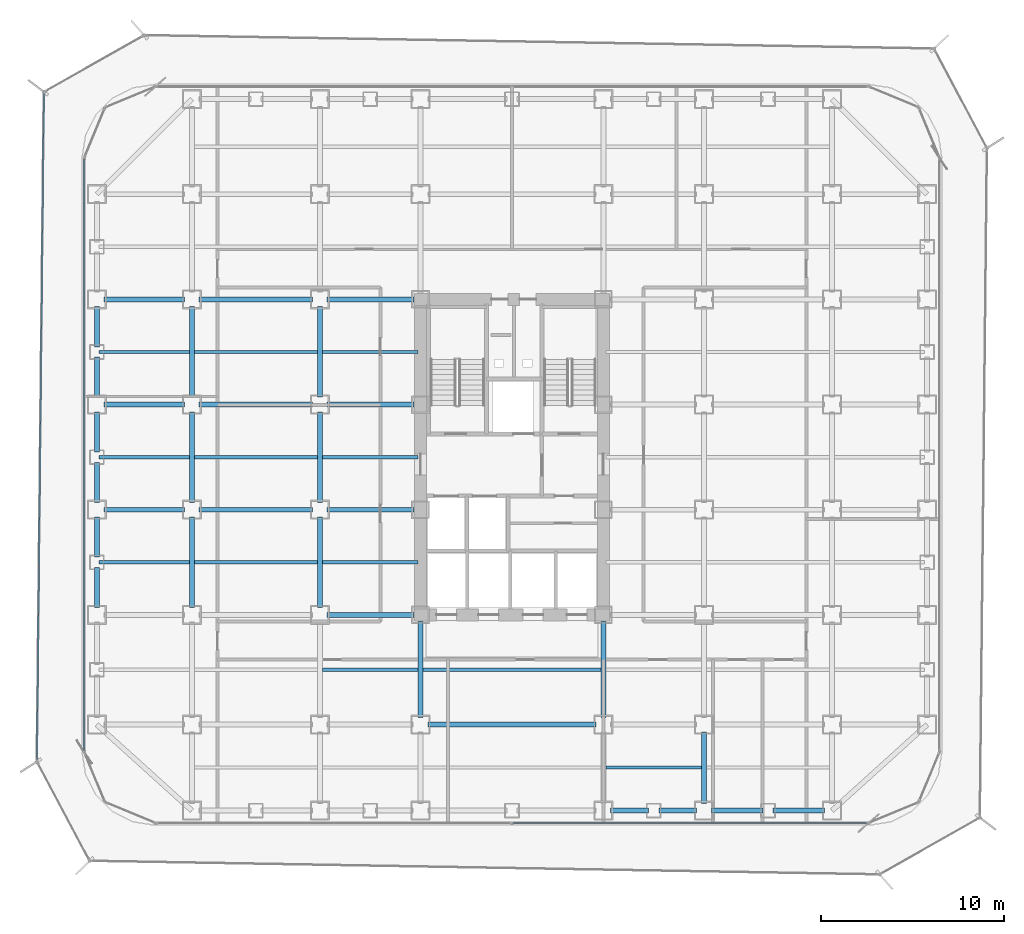
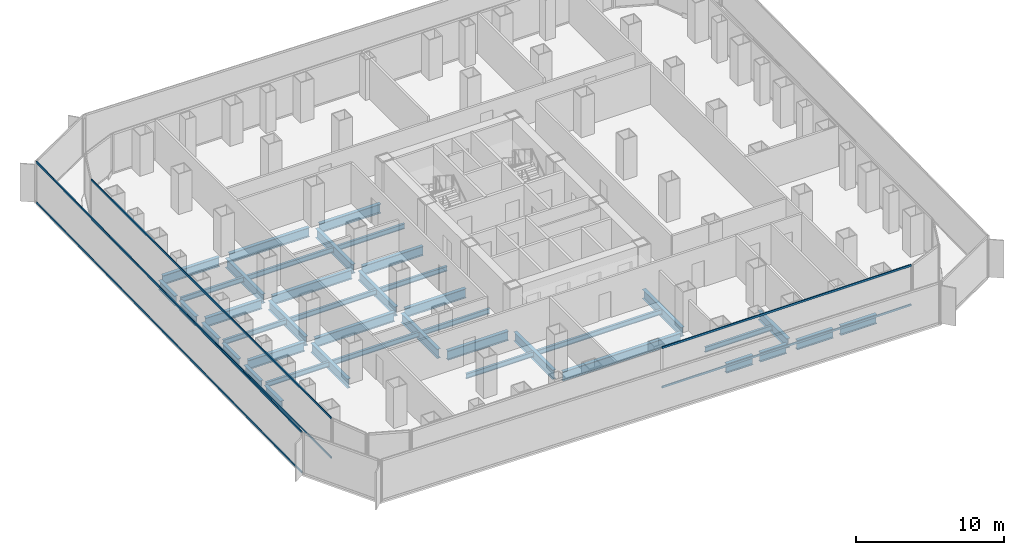
# One storey, part 5 of 21: 42 beams, 6 members, 3 elements without a shape of their own.
"""IFC4 building model written with IfcOpenShell, lengths in metres."""

from ifc_helpers import new_model, si_unit, direction, frame, origin, origin_2d, place, context, subcontext, project, spatial, hollow_rectangle, i_section, extrude, source, transform, mapped, material, layer, layer_set, material_profile, profile_set, type_object, element, aggregate, save


model = new_model("IFC4")

# Units and contexts
model_context = context("Model", 3, precision=1e-05, world=origin(), true_north=direction((0.0, 1.0)))
body_context = subcontext(model_context, "Body", "Model", "MODEL_VIEW")
ifc_project = project(units=[si_unit("LENGTHUNIT", "METRE"), si_unit("AREAUNIT", "SQUARE_METRE"), si_unit("VOLUMEUNIT", "CUBIC_METRE"), si_unit("PLANEANGLEUNIT", "RADIAN"), si_unit("MASSUNIT", "GRAM", prefix="KILO")], contexts=[model_context])

# Site, building, storey
site_placement = place(None, origin())
site = spatial("IfcSite", under=ifc_project, at=site_placement, CompositionType="ELEMENT")
building_placement = place(site_placement, origin())
building = spatial("IfcBuilding", under=site, at=building_placement, Name="Kolveth Station Tower", CompositionType="ELEMENT")
storey_placement = place(building_placement, frame((0.0, 0.0, 40.5)))
storey = spatial("IfcBuildingStorey", under=building, at=storey_placement, Name="L10", CompositionType="ELEMENT", Elevation=40.5)

# Beams
ifc_material_1 = material(Name="Steel S355", Category="steel")
ifc_material_profile_1 = material_profile(ifc_material_1, i_section(OverallWidth=0.26904296875, OverallDepth=0.77490234375, WebThickness=0.01708984375, FlangeThickness=0.0283203125, at=origin_2d()), Name="W760x220")
ifc_profile_set_1 = profile_set([ifc_material_profile_1], Name="Steel S355")
beam_type_1 = type_object("IfcBeamType", Name="Beam_SP1", PredefinedType="SPANDREL", material=ifc_profile_set_1)
shared_shape_1 = source(origin(), body_context, "Body", "SweptSolid", [
    extrude(i_section(OverallWidth=0.26904296875, OverallDepth=0.77490234375, WebThickness=0.01708984375, FlangeThickness=0.0283203125, at=origin_2d()), origin(), (0.0, 0.0, 1.0), 2.820068359375),
])
for number, where, z_axis, x_axis, name in (
    (1, (34.39990234375, 0.800048828125, -0.66748046875), (1.0, 0.0, 0.0), (0.0, 1.0, 0.0), "L10 Perimeter Spandrel BM-L10-PS-9"),
    (2, (37.780029296875, 0.800048828125, -0.66748046875), (1.0, 0.0, 0.0), (0.0, 1.0, 0.0), "L10 Perimeter Spandrel BM-L10-PS-10"),
):
    element("IfcBeam", number, at=place(storey_placement, frame(where, z_axis=z_axis, x_axis=x_axis)), inside=storey, type_object=beam_type_1, Name=name, PredefinedType="SPANDREL", context=body_context, shape_type="MappedRepresentation", body=[
        mapped(shared_shape_1, transform((0.0, 0.0, 0.0), x_axis=(1.0, 0.0, 0.0), y_axis=(0.0, 1.0, 0.0), z_axis=(0.0, 0.0, 1.0), scale=1.0)),
    ])
shared_shape_2 = source(origin(), body_context, "Body", "SweptSolid", [
    extrude(i_section(OverallWidth=0.26904296875, OverallDepth=0.77490234375, WebThickness=0.01708984375, FlangeThickness=0.0283203125, at=origin_2d()), origin(), (0.0, 0.0, 1.0), 2.070068359375),
])
for number, where, z_axis, x_axis, name in (
    (3, (28.89990234375, 0.800048828125, -0.66748046875), (1.0, 0.0, 0.0), (0.0, 1.0, 0.0), "L10 Perimeter Spandrel BM-L10-PS-7"),
    (4, (31.530029296875, 0.800048828125, -0.66748046875), (1.0, 0.0, 0.0), (0.0, 1.0, 0.0), "L10 Perimeter Spandrel BM-L10-PS-8"),
):
    element("IfcBeam", number, at=place(storey_placement, frame(where, z_axis=z_axis, x_axis=x_axis)), inside=storey, type_object=beam_type_1, Name=name, PredefinedType="SPANDREL", context=body_context, shape_type="MappedRepresentation", body=[
        mapped(shared_shape_2, transform((0.0, 0.0, 0.0), x_axis=(1.0, 0.0, 0.0), y_axis=(0.0, 1.0, 0.0), z_axis=(0.0, 0.0, 1.0), scale=1.0)),
    ])
shared_shape_3 = source(origin(), body_context, "Body", "SweptSolid", [
    extrude(i_section(OverallWidth=0.26904296875, OverallDepth=0.77490234375, WebThickness=0.01708984375, FlangeThickness=0.0283203125, at=origin_2d()), origin(), (0.0, 0.0, 1.0), 2.2001953125),
])
for number, where, z_axis, x_axis, name in (
    (5, (0.800048828125, 11.89990234375, -0.66748046875), (0.0, 1.0, 0.0), (-1.0, 0.0, 0.0), "L10 Perimeter Spandrel BM-L10-PW-3"),
    (6, (0.800048828125, 20.39990234375, -0.66748046875), (0.0, 1.0, 0.0), (-1.0, 0.0, 0.0), "L10 Perimeter Spandrel BM-L10-PW-6"),
    (7, (0.800048828125, 23.39990234375, -0.66748046875), (0.0, 1.0, 0.0), (-1.0, 0.0, 0.0), "L10 Perimeter Spandrel BM-L10-PW-7"),
):
    element("IfcBeam", number, at=place(storey_placement, frame(where, z_axis=z_axis, x_axis=x_axis)), inside=storey, type_object=beam_type_1, Name=name, PredefinedType="SPANDREL", context=body_context, shape_type="MappedRepresentation", body=[
        mapped(shared_shape_3, transform((0.0, 0.0, 0.0), x_axis=(1.0, 0.0, 0.0), y_axis=(0.0, 1.0, 0.0), z_axis=(0.0, 0.0, 1.0), scale=1.0)),
    ])
shared_shape_4 = source(origin(), body_context, "Body", "SweptSolid", [
    extrude(i_section(OverallWidth=0.26904296875, OverallDepth=0.77490234375, WebThickness=0.01708984375, FlangeThickness=0.0283203125, at=origin_2d()), origin(), (0.0, 0.0, 1.0), 2.190185546875),
])
for number, where, z_axis, x_axis, name in (
    (8, (0.800048828125, 14.659912109375, -0.66748046875), (0.0, 1.0, 0.0), (-1.0, 0.0, 0.0), "L10 Perimeter Spandrel BM-L10-PW-4"),
    (9, (0.800048828125, 17.64990234375, -0.66748046875), (0.0, 1.0, 0.0), (-1.0, 0.0, 0.0), "L10 Perimeter Spandrel BM-L10-PW-5"),
    (10, (0.800048828125, 26.159912109375, -0.66748046875), (0.0, 1.0, 0.0), (-1.0, 0.0, 0.0), "L10 Perimeter Spandrel BM-L10-PW-8"),
):
    element("IfcBeam", number, at=place(storey_placement, frame(where, z_axis=z_axis, x_axis=x_axis)), inside=storey, type_object=beam_type_1, Name=name, PredefinedType="SPANDREL", context=body_context, shape_type="MappedRepresentation", body=[
        mapped(shared_shape_4, transform((0.0, 0.0, 0.0), x_axis=(1.0, 0.0, 0.0), y_axis=(0.0, 1.0, 0.0), z_axis=(0.0, 0.0, 1.0), scale=1.0)),
    ])
ifc_material_profile_2 = material_profile(ifc_material_1, i_section(OverallWidth=0.26708984375, OverallDepth=0.76611328125, WebThickness=0.014892578125, FlangeThickness=0.023681640625, at=origin_2d()), Name="W760x185")
ifc_profile_set_2 = profile_set([ifc_material_profile_2], Name="Steel S355")
beam_type_2 = type_object("IfcBeamType", Name="Beam_B3", PredefinedType="BEAM", material=ifc_profile_set_2)
shared_shape_5 = source(origin(), body_context, "Body", "SweptSolid", [
    extrude(i_section(OverallWidth=0.26708984375, OverallDepth=0.76611328125, WebThickness=0.014892578125, FlangeThickness=0.023681640625, at=origin_2d()), origin(), (0.0, 0.0, 1.0), 4.400146484375),
])
for number, where, z_axis, x_axis, name in (
    (11, (1.199951171875, 17.25, -0.6630859375), (1.0, 0.0, 0.0), (0.0, 1.0, 0.0), "L10 Primary Girder BM-L10-GY172-1"),
    (12, (1.199951171875, 23.0, -0.6630859375), (1.0, 0.0, 0.0), (0.0, 1.0, 0.0), "L10 Primary Girder BM-L10-GY230-1"),
    (13, (1.199951171875, 28.75, -0.6630859375), (1.0, 0.0, 0.0), (0.0, 1.0, 0.0), "L10 Primary Girder BM-L10-GY287-1"),
):
    element("IfcBeam", number, at=place(storey_placement, frame(where, z_axis=z_axis, x_axis=x_axis)), inside=storey, type_object=beam_type_2, Name=name, PredefinedType="BEAM", context=body_context, shape_type="MappedRepresentation", body=[
        mapped(shared_shape_5, transform((0.0, 0.0, 0.0), x_axis=(1.0, 0.0, 0.0), y_axis=(0.0, 1.0, 0.0), z_axis=(0.0, 0.0, 1.0), scale=1.0)),
    ])
shared_shape_6 = source(origin(), body_context, "Body", "SweptSolid", [
    extrude(i_section(OverallWidth=0.26708984375, OverallDepth=0.76611328125, WebThickness=0.014892578125, FlangeThickness=0.023681640625, at=origin_2d()), origin(), (0.0, 0.0, 1.0), 6.2001953125),
])
for number, where, z_axis, x_axis, name in (
    (14, (6.39990234375, 17.25, -0.6630859375), (1.0, 0.0, 0.0), (0.0, 1.0, 0.0), "L10 Primary Girder BM-L10-GY172-2"),
    (15, (6.39990234375, 23.0, -0.6630859375), (1.0, 0.0, 0.0), (0.0, 1.0, 0.0), "L10 Primary Girder BM-L10-GY230-2"),
    (16, (6.39990234375, 28.75, -0.6630859375), (1.0, 0.0, 0.0), (0.0, 1.0, 0.0), "L10 Primary Girder BM-L10-GY287-2"),
):
    element("IfcBeam", number, at=place(storey_placement, frame(where, z_axis=z_axis, x_axis=x_axis)), inside=storey, type_object=beam_type_2, Name=name, PredefinedType="BEAM", context=body_context, shape_type="MappedRepresentation", body=[
        mapped(shared_shape_6, transform((0.0, 0.0, 0.0), x_axis=(1.0, 0.0, 0.0), y_axis=(0.0, 1.0, 0.0), z_axis=(0.0, 0.0, 1.0), scale=1.0)),
    ])
shared_shape_7 = source(origin(), body_context, "Body", "SweptSolid", [
    extrude(i_section(OverallWidth=0.26708984375, OverallDepth=0.76611328125, WebThickness=0.014892578125, FlangeThickness=0.023681640625, at=origin_2d()), origin(), (0.0, 0.0, 1.0), 9.2001953125),
])
beam_1_placement = place(storey_placement, frame((18.89990234375, 5.5, -0.6630859375), z_axis=(1.0, 0.0, 0.0), x_axis=(0.0, 1.0, 0.0)))
element("IfcBeam", 17, at=beam_1_placement, inside=storey, type_object=beam_type_2, Name="L10 Primary Girder BM-L10-GY55-4", PredefinedType="BEAM", context=body_context, shape_type="MappedRepresentation", body=[
    mapped(shared_shape_7, transform((0.0, 0.0, 0.0), x_axis=(1.0, 0.0, 0.0), y_axis=(0.0, 1.0, 0.0), z_axis=(0.0, 0.0, 1.0), scale=1.0)),
])
shared_shape_8 = source(origin(), body_context, "Body", "SweptSolid", [
    extrude(i_section(OverallWidth=0.26708984375, OverallDepth=0.76611328125, WebThickness=0.014892578125, FlangeThickness=0.023681640625, at=origin_2d()), origin(), (0.0, 0.0, 1.0), 4.739990234375),
])
for number, where, z_axis, x_axis, name in (
    (18, (13.39990234375, 11.5, -0.6630859375), (1.0, 0.0, 0.0), (0.0, 1.0, 0.0), "L10 Primary Girder BM-L10-GY115-3"),
    (19, (13.39990234375, 17.25, -0.6630859375), (1.0, 0.0, 0.0), (0.0, 1.0, 0.0), "L10 Primary Girder BM-L10-GY172-3"),
    (20, (13.39990234375, 23.0, -0.6630859375), (1.0, 0.0, 0.0), (0.0, 1.0, 0.0), "L10 Primary Girder BM-L10-GY230-3"),
    (21, (13.39990234375, 28.75, -0.6630859375), (1.0, 0.0, 0.0), (0.0, 1.0, 0.0), "L10 Primary Girder BM-L10-GY287-3"),
):
    element("IfcBeam", number, at=place(storey_placement, frame(where, z_axis=z_axis, x_axis=x_axis)), inside=storey, type_object=beam_type_2, Name=name, PredefinedType="BEAM", context=body_context, shape_type="MappedRepresentation", body=[
        mapped(shared_shape_8, transform((0.0, 0.0, 0.0), x_axis=(1.0, 0.0, 0.0), y_axis=(0.0, 1.0, 0.0), z_axis=(0.0, 0.0, 1.0), scale=1.0)),
    ])
shared_shape_9 = source(origin(), body_context, "Body", "SweptSolid", [
    extrude(i_section(OverallWidth=0.26708984375, OverallDepth=0.76611328125, WebThickness=0.014892578125, FlangeThickness=0.023681640625, at=origin_2d()), origin(), (0.0, 0.0, 1.0), 3.900146484375),
])
beam_2_placement = place(storey_placement, frame((34.0, 1.199951171875, -0.6630859375), z_axis=(0.0, 1.0, 0.0), x_axis=(-1.0, 0.0, 0.0)))
element("IfcBeam", 22, at=beam_2_placement, inside=storey, type_object=beam_type_2, Name="L10 Primary Girder BM-L10-GX340-1", PredefinedType="BEAM", context=body_context, shape_type="MappedRepresentation", body=[
    mapped(shared_shape_9, transform((0.0, 0.0, 0.0), x_axis=(1.0, 0.0, 0.0), y_axis=(0.0, 1.0, 0.0), z_axis=(0.0, 0.0, 1.0), scale=1.0)),
])
shared_shape_10 = source(origin(), body_context, "Body", "SweptSolid", [
    extrude(i_section(OverallWidth=0.26708984375, OverallDepth=0.76611328125, WebThickness=0.014892578125, FlangeThickness=0.023681640625, at=origin_2d()), origin(), (0.0, 0.0, 1.0), 4.9501953125),
])
for number, where, z_axis, x_axis, name in (
    (23, (6.0, 11.89990234375, -0.6630859375), (0.0, 1.0, 0.0), (-1.0, 0.0, 0.0), "L10 Primary Girder BM-L10-GX60-3"),
    (24, (6.0, 17.64990234375, -0.6630859375), (0.0, 1.0, 0.0), (-1.0, 0.0, 0.0), "L10 Primary Girder BM-L10-GX60-4"),
    (25, (6.0, 23.39990234375, -0.6630859375), (0.0, 1.0, 0.0), (-1.0, 0.0, 0.0), "L10 Primary Girder BM-L10-GX60-5"),
    (26, (13.0, 11.89990234375, -0.6630859375), (0.0, 1.0, 0.0), (-1.0, 0.0, 0.0), "L10 Primary Girder BM-L10-GX130-3"),
    (27, (13.0, 17.64990234375, -0.6630859375), (0.0, 1.0, 0.0), (-1.0, 0.0, 0.0), "L10 Primary Girder BM-L10-GX130-4"),
    (28, (13.0, 23.39990234375, -0.6630859375), (0.0, 1.0, 0.0), (-1.0, 0.0, 0.0), "L10 Primary Girder BM-L10-GX130-5"),
):
    element("IfcBeam", number, at=place(storey_placement, frame(where, z_axis=z_axis, x_axis=x_axis)), inside=storey, type_object=beam_type_2, Name=name, PredefinedType="BEAM", context=body_context, shape_type="MappedRepresentation", body=[
        mapped(shared_shape_10, transform((0.0, 0.0, 0.0), x_axis=(1.0, 0.0, 0.0), y_axis=(0.0, 1.0, 0.0), z_axis=(0.0, 0.0, 1.0), scale=1.0)),
    ])
shared_shape_11 = source(origin(), body_context, "Body", "SweptSolid", [
    extrude(i_section(OverallWidth=0.26708984375, OverallDepth=0.76611328125, WebThickness=0.014892578125, FlangeThickness=0.023681640625, at=origin_2d()), origin(), (0.0, 0.0, 1.0), 5.239990234375),
])
for number, where, z_axis, x_axis, name in (
    (29, (18.5, 5.89990234375, -0.6630859375), (0.0, 1.0, 0.0), (-1.0, 0.0, 0.0), "L10 Primary Girder BM-L10-GX185-2"),
    (30, (28.5, 5.89990234375, -0.6630859375), (0.0, 1.0, 0.0), (-1.0, 0.0, 0.0), "L10 Primary Girder BM-L10-GX285-2"),
):
    element("IfcBeam", number, at=place(storey_placement, frame(where, z_axis=z_axis, x_axis=x_axis)), inside=storey, type_object=beam_type_2, Name=name, PredefinedType="BEAM", context=body_context, shape_type="MappedRepresentation", body=[
        mapped(shared_shape_11, transform((0.0, 0.0, 0.0), x_axis=(1.0, 0.0, 0.0), y_axis=(0.0, 1.0, 0.0), z_axis=(0.0, 0.0, 1.0), scale=1.0)),
    ])
ifc_material_profile_3 = material_profile(ifc_material_1, i_section(OverallWidth=0.177978515625, OverallDepth=0.406982421875, WebThickness=0.0078125, FlangeThickness=0.0126953125, at=origin_2d()), Name="W410x60")
ifc_profile_set_3 = profile_set([ifc_material_profile_3], Name="Steel S355")
beam_type_3 = type_object("IfcBeamType", Name="Beam_J1", PredefinedType="JOIST", material=ifc_profile_set_3)
shared_shape_12 = source(origin(), body_context, "Body", "SweptSolid", [
    extrude(i_section(OverallWidth=0.177978515625, OverallDepth=0.406982421875, WebThickness=0.0078125, FlangeThickness=0.0126953125, at=origin_2d()), origin(), (0.0, 0.0, 1.0), 4.935791015625),
])
for number, where, z_axis, x_axis, name in (
    (31, (0.9326171875, 14.375, -0.4833984375), (1.0, 0.0, 0.0), (0.0, 1.0, 0.0), "L10 Secondary Joist JST-L10-1-3"),
    (32, (0.9326171875, 20.125, -0.4833984375), (1.0, 0.0, 0.0), (0.0, 1.0, 0.0), "L10 Secondary Joist JST-L10-1-4"),
    (33, (0.9326171875, 25.875, -0.4833984375), (1.0, 0.0, 0.0), (0.0, 1.0, 0.0), "L10 Secondary Joist JST-L10-1-5"),
):
    element("IfcBeam", number, at=place(storey_placement, frame(where, z_axis=z_axis, x_axis=x_axis)), inside=storey, type_object=beam_type_3, Name=name, PredefinedType="JOIST", context=body_context, shape_type="MappedRepresentation", body=[
        mapped(shared_shape_12, transform((0.0, 0.0, 0.0), x_axis=(1.0, 0.0, 0.0), y_axis=(0.0, 1.0, 0.0), z_axis=(0.0, 0.0, 1.0), scale=1.0)),
    ])
shared_shape_13 = source(origin(), body_context, "Body", "SweptSolid", [
    extrude(i_section(OverallWidth=0.177978515625, OverallDepth=0.406982421875, WebThickness=0.0078125, FlangeThickness=0.0126953125, at=origin_2d()), origin(), (0.0, 0.0, 1.0), 6.73681640625),
])
for number, where, z_axis, x_axis, name in (
    (34, (6.131591796875, 14.375, -0.4833984375), (1.0, 0.0, 0.0), (0.0, 1.0, 0.0), "L10 Secondary Joist JST-L10-2-3"),
    (35, (6.131591796875, 20.125, -0.4833984375), (1.0, 0.0, 0.0), (0.0, 1.0, 0.0), "L10 Secondary Joist JST-L10-2-4"),
    (36, (6.131591796875, 25.875, -0.4833984375), (1.0, 0.0, 0.0), (0.0, 1.0, 0.0), "L10 Secondary Joist JST-L10-2-5"),
):
    element("IfcBeam", number, at=place(storey_placement, frame(where, z_axis=z_axis, x_axis=x_axis)), inside=storey, type_object=beam_type_3, Name=name, PredefinedType="JOIST", context=body_context, shape_type="MappedRepresentation", body=[
        mapped(shared_shape_13, transform((0.0, 0.0, 0.0), x_axis=(1.0, 0.0, 0.0), y_axis=(0.0, 1.0, 0.0), z_axis=(0.0, 0.0, 1.0), scale=1.0)),
    ])
shared_shape_14 = source(origin(), body_context, "Body", "SweptSolid", [
    extrude(i_section(OverallWidth=0.177978515625, OverallDepth=0.406982421875, WebThickness=0.0078125, FlangeThickness=0.0126953125, at=origin_2d()), origin(), (0.0, 0.0, 1.0), 5.23681640625),
])
for number, where, z_axis, x_axis, name in (
    (37, (13.131591796875, 8.5, -0.4833984375), (1.0, 0.0, 0.0), (0.0, 1.0, 0.0), "L10 Secondary Joist JST-L10-3-2"),
    (38, (13.131591796875, 14.375, -0.4833984375), (1.0, 0.0, 0.0), (0.0, 1.0, 0.0), "L10 Secondary Joist JST-L10-3-3"),
    (39, (13.131591796875, 20.125, -0.4833984375), (1.0, 0.0, 0.0), (0.0, 1.0, 0.0), "L10 Secondary Joist JST-L10-3-4"),
    (40, (13.131591796875, 25.875, -0.4833984375), (1.0, 0.0, 0.0), (0.0, 1.0, 0.0), "L10 Secondary Joist JST-L10-3-5"),
    (41, (28.631591796875, 3.14990234375, -0.4833984375), (1.0, 0.0, 0.0), (0.0, 1.0, 0.0), "L10 Secondary Joist JST-L10-5-1"),
):
    element("IfcBeam", number, at=place(storey_placement, frame(where, z_axis=z_axis, x_axis=x_axis)), inside=storey, type_object=beam_type_3, Name=name, PredefinedType="JOIST", context=body_context, shape_type="MappedRepresentation", body=[
        mapped(shared_shape_14, transform((0.0, 0.0, 0.0), x_axis=(1.0, 0.0, 0.0), y_axis=(0.0, 1.0, 0.0), z_axis=(0.0, 0.0, 1.0), scale=1.0)),
    ])
shared_shape_15 = source(origin(), body_context, "Body", "SweptSolid", [
    extrude(i_section(OverallWidth=0.177978515625, OverallDepth=0.406982421875, WebThickness=0.0078125, FlangeThickness=0.0126953125, at=origin_2d()), origin(), (0.0, 0.0, 1.0), 9.73681640625),
])
beam_3_placement = place(storey_placement, frame((18.631591796875, 8.5, -0.4833984375), z_axis=(1.0, 0.0, 0.0), x_axis=(0.0, 1.0, 0.0)))
element("IfcBeam", 42, at=beam_3_placement, inside=storey, type_object=beam_type_3, Name="L10 Secondary Joist JST-L10-4-2", PredefinedType="JOIST", context=body_context, shape_type="MappedRepresentation", body=[
    mapped(shared_shape_15, transform((0.0, 0.0, 0.0), x_axis=(1.0, 0.0, 0.0), y_axis=(0.0, 1.0, 0.0), z_axis=(0.0, 0.0, 1.0), scale=1.0)),
])

# Curtain wall, members
ifc_material_2 = material(Name="Aluminium 6063-T6 and low-E dark glass", Category="aluminium")
ifc_layer_1 = layer(ifc_material_2, 0.179931640625)
ifc_layer_set_1 = layer_set([ifc_layer_1], Name="Aluminium 6063-T6 and low-E dark glass")
curtain_wall_type_1 = type_object("IfcCurtainWallType", Name="CurtainWall_CW-Z1", PredefinedType="NOTDEFINED", material=ifc_layer_set_1)
curtain_wall_1_placement = place(storey_placement, origin())
curtain_wall_1 = element("IfcCurtainWall", 43, at=curtain_wall_1_placement, inside=storey, type_object=curtain_wall_type_1, Name="L10 Inner Thermal Curtain Wall 9", PredefinedType="NOTDEFINED")
ifc_material_3 = material(Name="Black anodized aluminium 6063-T6", Category="aluminium")
ifc_material_profile_4 = material_profile(ifc_material_3, hollow_rectangle(XDim=0.074951171875, YDim=0.159912109375, WallThickness=0.0048828125, at=origin_2d()), Name="ALU-75x160x5")
ifc_profile_set_4 = profile_set([ifc_material_profile_4], Name="Black anodized aluminium 6063-T6")
member_type_1 = type_object("IfcMemberType", Name="Transom_TR1", PredefinedType="USERDEFINED", material=ifc_profile_set_4)
shared_shape_16 = source(origin(), body_context, "Body", "SweptSolid", [
    extrude(hollow_rectangle(XDim=0.074951171875, YDim=0.159912109375, WallThickness=0.0048828125, at=origin_2d()), origin(), (0.0, 0.0, 1.0), 32.35009765625),
])
member_1_placement = place(storey_placement, frame((0.1201171875, 36.425048828125, 0.03759765625), z_axis=(0.0, -1.0, 0.0), x_axis=(1.0, 0.0, 0.0)))
member_1 = element("IfcMember", 44, at=member_1_placement, type_object=member_type_1, Name="CW-Z1 transom 1.1", ObjectType="TRANSOM", PredefinedType="USERDEFINED", context=body_context, shape_type="MappedRepresentation", body=[
    mapped(shared_shape_16, transform((0.0, 0.0, 0.0), x_axis=(1.0, 0.0, 0.0), y_axis=(0.0, 1.0, 0.0), z_axis=(0.0, 0.0, 1.0), scale=1.0)),
])
member_2_placement = place(storey_placement, frame((0.1201171875, 36.425048828125, 3.282470703125), z_axis=(0.0, -1.0, 0.0), x_axis=(1.0, 0.0, 0.0)))
member_2 = element("IfcMember", 45, at=member_2_placement, type_object=member_type_1, Name="CW-Z1 transom 1.2", ObjectType="TRANSOM", PredefinedType="USERDEFINED", context=body_context, shape_type="MappedRepresentation", body=[
    mapped(shared_shape_16, transform((0.0, 0.0, 0.0), x_axis=(1.0, 0.0, 0.0), y_axis=(0.0, 1.0, 0.0), z_axis=(0.0, 0.0, 1.0), scale=1.0)),
])
aggregate(curtain_wall_1, [member_1, member_2])

curtain_wall_2_placement = place(storey_placement, origin())
curtain_wall_2 = element("IfcCurtainWall", 46, at=curtain_wall_2_placement, inside=storey, type_object=curtain_wall_type_1, Name="L10 Inner Thermal Curtain Wall 12", PredefinedType="NOTDEFINED")
shared_shape_17 = source(origin(), body_context, "Body", "SweptSolid", [
    extrude(hollow_rectangle(XDim=0.074951171875, YDim=0.159912109375, WallThickness=0.0048828125, at=origin_2d()), origin(), (0.0, 0.0, 1.0), 19.387451171875),
])
member_3_placement = place(storey_placement, frame((23.53759765625, 0.1201171875, 0.03759765625), z_axis=(1.0, 0.0, 0.0), x_axis=(0.0, 1.0, 0.0)))
member_3 = element("IfcMember", 47, at=member_3_placement, type_object=member_type_1, Name="CW-Z1 transom 2.1", ObjectType="TRANSOM", PredefinedType="USERDEFINED", context=body_context, shape_type="MappedRepresentation", body=[
    mapped(shared_shape_17, transform((0.0, 0.0, 0.0), x_axis=(1.0, 0.0, 0.0), y_axis=(0.0, 1.0, 0.0), z_axis=(0.0, 0.0, 1.0), scale=1.0)),
])
member_4_placement = place(storey_placement, frame((23.53759765625, 0.1201171875, 3.282470703125), z_axis=(1.0, 0.0, 0.0), x_axis=(0.0, 1.0, 0.0)))
member_4 = element("IfcMember", 48, at=member_4_placement, type_object=member_type_1, Name="CW-Z1 transom 2.2", ObjectType="TRANSOM", PredefinedType="USERDEFINED", context=body_context, shape_type="MappedRepresentation", body=[
    mapped(shared_shape_17, transform((0.0, 0.0, 0.0), x_axis=(1.0, 0.0, 0.0), y_axis=(0.0, 1.0, 0.0), z_axis=(0.0, 0.0, 1.0), scale=1.0)),
])
aggregate(curtain_wall_2, [member_3, member_4])

ifc_material_4 = material(Name="Black anodized aluminium 6063-T6 and dark solar glass", Category="aluminium")
ifc_layer_2 = layer(ifc_material_4, 0.159912109375)
ifc_layer_set_2 = layer_set([ifc_layer_2], Name="Black anodized aluminium 6063-T6 and dark solar glass")
curtain_wall_type_2 = type_object("IfcCurtainWallType", Name="OUTER SKIN CW-OS", PredefinedType="NOTDEFINED", material=ifc_layer_set_2)
curtain_wall_3_placement = place(storey_placement, origin())
curtain_wall_3 = element("IfcCurtainWall", 49, at=curtain_wall_3_placement, inside=storey, type_object=curtain_wall_type_2, Name="L10 Outer Ventilated Skin Curtain Wall 6", PredefinedType="NOTDEFINED")
ifc_material_profile_5 = material_profile(ifc_material_3, hollow_rectangle(XDim=0.080078125, YDim=0.14990234375, WallThickness=0.0048828125, at=origin_2d()), Name="ALU-80x150x5")
ifc_profile_set_5 = profile_set([ifc_material_profile_5], Name="Black anodized aluminium 6063-T6")
member_type_2 = type_object("IfcMemberType", Name="Transom_TR-OS", PredefinedType="USERDEFINED", material=ifc_profile_set_5)
shared_shape_18 = source(origin(), body_context, "Body", "SweptSolid", [
    extrude(hollow_rectangle(XDim=0.080078125, YDim=0.14990234375, WallThickness=0.0048828125, at=origin_2d()), origin(), (0.0, 0.0, 1.0), 36.42724609375),
])
member_5_placement = place(storey_placement, frame((-2.08984375, 39.99560546875, 0.0400390625), z_axis=(-0.010435228513, -0.999945551521, 0.0), x_axis=(0.999945551521, -0.010435228513, 0.0)))
member_5 = element("IfcMember", 50, at=member_5_placement, type_object=member_type_2, Name="CW-OS transom 1.1", ObjectType="TRANSOM", PredefinedType="USERDEFINED", context=body_context, shape_type="MappedRepresentation", body=[
    mapped(shared_shape_18, transform((0.0, 0.0, 0.0), x_axis=(1.0, 0.0, 0.0), y_axis=(0.0, 1.0, 0.0), z_axis=(0.0, 0.0, 1.0), scale=1.0)),
])
member_6_placement = place(storey_placement, frame((-2.08984375, 39.99560546875, 3.35009765625), z_axis=(-0.010435228513, -0.999945551521, 0.0), x_axis=(0.999945551521, -0.010435228513, 0.0)))
member_6 = element("IfcMember", 51, at=member_6_placement, type_object=member_type_2, Name="CW-OS transom 1.2", ObjectType="TRANSOM", PredefinedType="USERDEFINED", context=body_context, shape_type="MappedRepresentation", body=[
    mapped(shared_shape_18, transform((0.0, 0.0, 0.0), x_axis=(1.0, 0.0, 0.0), y_axis=(0.0, 1.0, 0.0), z_axis=(0.0, 0.0, 1.0), scale=1.0)),
])
aggregate(curtain_wall_3, [member_5, member_6])

save(model, "model.ifc")
